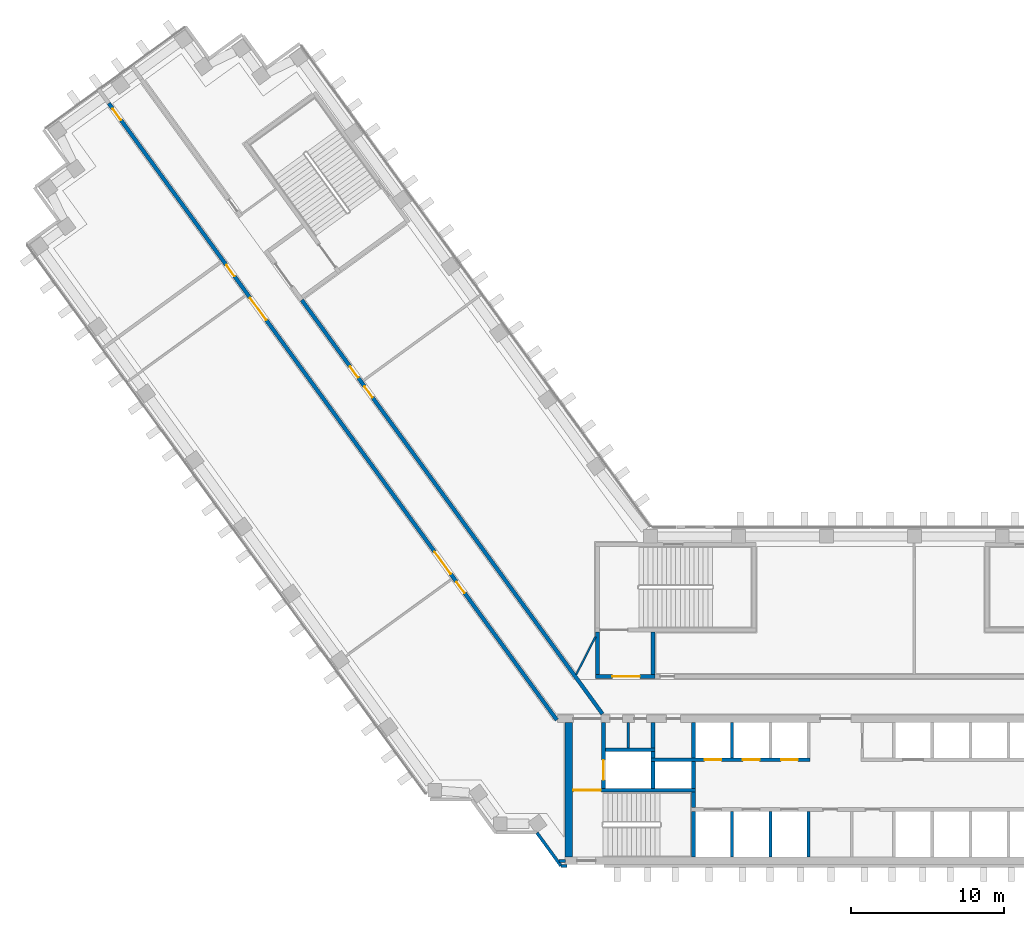
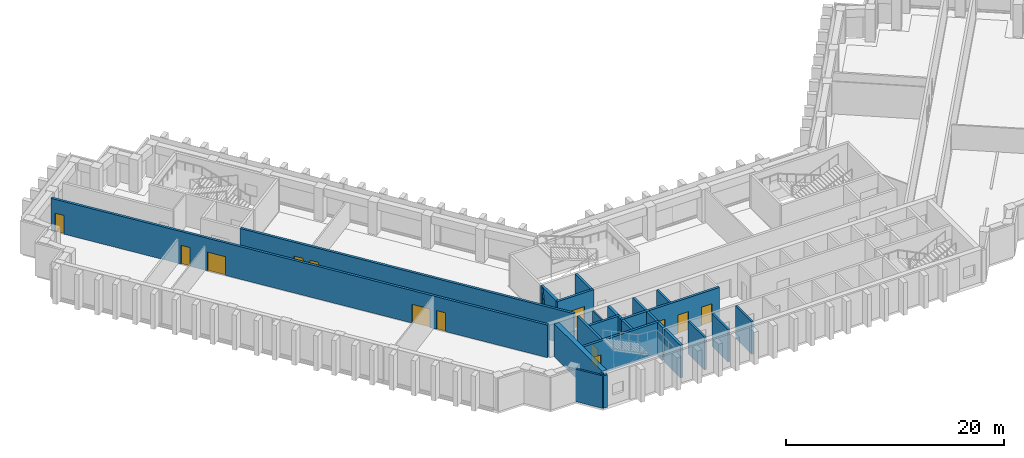
# One storey, part 5 of 12: 26 walls, 13 doors, 13 openings.
"""IFC4 building model written with IfcOpenShell, lengths in metres."""

from ifc_helpers import new_model, si_unit, direction, frame, frame_2d, origin, place, context, subcontext, project, spatial, rectangle, extrude, material, layer, layer_set, type_object, element, fill, save


model = new_model("IFC4")

# Units and contexts
model_context = context("Model", 3, precision=1e-05, world=origin(), true_north=direction((0.0, 1.0)))
body_context = subcontext(model_context, "Body", "Model", "MODEL_VIEW")
ifc_project = project(units=[si_unit("LENGTHUNIT", "METRE"), si_unit("AREAUNIT", "SQUARE_METRE"), si_unit("VOLUMEUNIT", "CUBIC_METRE"), si_unit("PLANEANGLEUNIT", "RADIAN"), si_unit("MASSUNIT", "GRAM", prefix="KILO")], contexts=[model_context])

# Site, building, storey
site_placement = place(None, origin())
site = spatial("IfcSite", under=ifc_project, at=site_placement, CompositionType="ELEMENT")
building_placement = place(site_placement, origin())
building = spatial("IfcBuilding", under=site, at=building_placement, Name="Quipu Civic Tower", CompositionType="ELEMENT")
storey_placement = place(building_placement, frame((0.0, 0.0, 109.0)))
storey = spatial("IfcBuildingStorey", under=building, at=storey_placement, Name="L25", CompositionType="ELEMENT", Elevation=109.0)

# Walls
ifc_material_1 = material(Name="Concrete C70/85", Category="concrete")
ifc_layer_1 = layer(ifc_material_1, 0.25)
ifc_layer_set_1 = layer_set([ifc_layer_1], Name="Concrete C70/85")
wall_type_1 = type_object("IfcWallType", Name="Core wall 250", PredefinedType="SHEAR", material=ifc_layer_set_1)
wall_1_placement = place(storey_placement, frame((-11.574951171875, -10.5, 0.0), z_axis=(0.0, 0.0, 1.0), x_axis=(0.0, 1.0, 0.0)))
element("IfcWall", 1, at=wall_1_placement, inside=storey, type_object=wall_type_1, Name="Core wall", PredefinedType="SHEAR", context=body_context, shape_type="SweptSolid", body=[
    extrude(rectangle(XDim=3.0, YDim=0.25, at=frame_2d((1.5, 0.0))), origin(), (0.0, 0.0, 1.0), 3.64990234375),
])
wall_2_placement = place(storey_placement, frame((-11.574951171875, -7.25, 0.0), z_axis=(0.0, 0.0, 1.0), x_axis=(0.0, 1.0, 0.0)))
element("IfcWall", 2, at=wall_2_placement, inside=storey, type_object=wall_type_1, Name="Core wall", PredefinedType="SHEAR", context=body_context, shape_type="SweptSolid", body=[
    extrude(rectangle(XDim=1.0, YDim=0.25, at=frame_2d((0.5, 0.0))), origin(), (0.0, 0.0, 1.0), 3.64990234375),
])

# Wall, opening, door
wall_3_placement = place(storey_placement, frame((-11.449951171875, -6.125, 0.0), z_axis=(0.0, 0.0, 1.0), x_axis=(-1.0, 0.0, 0.0)))
wall_3 = element("IfcWall", 3, at=wall_3_placement, inside=storey, type_object=wall_type_1, Name="Core wall", PredefinedType="SHEAR", context=body_context, shape_type="SweptSolid", body=[
    extrude(rectangle(XDim=8.050048828125, YDim=0.25, at=frame_2d((4.02490234375, 0.0))), origin(), (0.0, 0.0, 1.0), 3.64990234375),
])
opening_1_placement = place(wall_3_placement, frame((6.199951171875, 0.0, 0.0)))
opening_1 = element("IfcOpeningElement", 4, at=opening_1_placement, cuts=wall_3, Name="Opening CD-03", PredefinedType="OPENING", context=body_context, shape_type="SweptSolid", body=[
    extrude(rectangle(XDim=1.800048828125, YDim=2.10009765625, at=frame_2d((0.89990234375, 1.050048828125))), frame((0.0, 0.135009765625, 0.0), z_axis=(0.0, -1.0, 0.0), x_axis=(1.0, 0.0, 0.0)), (0.0, 0.0, 1.0), 0.27001953125),
])
ifc_material_2 = material(Name="Fire rated steel door", Category="steel")
door_type_1 = type_object("IfcDoorType", Name="Fire door FD90 double 1800 x 2100", OperationType="NOTDEFINED", PredefinedType="DOOR", material=ifc_material_2)
door_1_placement = place(opening_1_placement, origin())
door_1 = element("IfcDoor", 5, at=door_1_placement, inside=storey, type_object=door_type_1, Name="Door", OperationType="DOUBLE_DOOR_SINGLE_SWING", OverallHeight=2.10009765625, OverallWidth=1.800048828125, PredefinedType="DOOR", context=body_context, shape_type="SweptSolid", body=[
    extrude(rectangle(XDim=1.800048828125, YDim=2.10009765625, at=frame_2d((0.89990234375, 1.050048828125))), frame((0.0, 0.02490234375, 0.0), z_axis=(0.0, -1.0, 0.0), x_axis=(1.0, 0.0, 0.0)), (0.0, 0.0, 1.0), 0.050048828125),
])
fill(opening_1, door_1)

wall_4_placement = place(storey_placement, frame((-17.47509765625, -6.0, 0.0), z_axis=(0.0, 0.0, 1.0), x_axis=(0.0, 1.0, 0.0)))
wall_4 = element("IfcWall", 6, at=wall_4_placement, inside=storey, type_object=wall_type_1, Name="Core wall", PredefinedType="SHEAR", context=body_context, shape_type="SweptSolid", body=[
    extrude(rectangle(XDim=4.300048828125, YDim=0.25, at=frame_2d((2.14990234375, 0.0))), origin(), (0.0, 0.0, 1.0), 3.64990234375),
])
opening_2_placement = place(wall_4_placement, frame((0.550048828125, 0.0, 0.0)))
opening_2 = element("IfcOpeningElement", 7, at=opening_2_placement, cuts=wall_4, Name="Opening LD-FF1", PredefinedType="OPENING", context=body_context, shape_type="SweptSolid", body=[
    extrude(rectangle(XDim=1.300048828125, YDim=2.10009765625, at=frame_2d((0.64990234375, 1.050048828125))), frame((0.0, 0.135009765625, 0.0), z_axis=(0.0, -1.0, 0.0), x_axis=(1.0, 0.0, 0.0)), (0.0, 0.0, 1.0), 0.27001953125),
])
ifc_material_3 = material(Name="Stainless steel", Category="steel")
door_type_2 = type_object("IfcDoorType", Name="Lift landing door 1300 x 2100", OperationType="DOUBLE_DOOR_SLIDING", PredefinedType="DOOR", material=ifc_material_3)
door_2_placement = place(opening_2_placement, origin())
door_2 = element("IfcDoor", 8, at=door_2_placement, inside=storey, type_object=door_type_2, Name="Landing door FF1", OperationType="DOUBLE_DOOR_SLIDING", OverallHeight=2.10009765625, OverallWidth=1.300048828125, PredefinedType="DOOR", context=body_context, shape_type="SweptSolid", body=[
    extrude(rectangle(XDim=1.300048828125, YDim=2.10009765625, at=frame_2d((0.64990234375, 1.050048828125))), frame((0.0, 0.02490234375, 0.0), z_axis=(0.0, -1.0, 0.0), x_axis=(1.0, 0.0, 0.0)), (0.0, 0.0, 1.0), 0.050048828125),
])
fill(opening_2, door_2)

# Walls
for number, where, z_axis, x_axis, name in (
    (9, (-14.22509765625, -6.0, 0.0), (0.0, 0.0, 1.0), (0.0, 1.0, 0.0), "Core wall"),
    (10, (-11.574951171875, -6.0, 0.0), (0.0, 0.0, 1.0), (0.0, 1.0, 0.0), "Core wall"),
):
    element("IfcWall", number, at=place(storey_placement, frame(where, z_axis=z_axis, x_axis=x_axis)), inside=storey, type_object=wall_type_1, Name=name, PredefinedType="SHEAR", context=body_context, shape_type="SweptSolid", body=[
        extrude(rectangle(XDim=1.75, YDim=0.25, at=frame_2d((0.875, 0.0))), origin(), (0.0, 0.0, 1.0), 3.64990234375),
    ])

# Wall, openings, doors
wall_5_placement = place(storey_placement, frame((-14.35009765625, -4.125, 0.0), z_axis=(0.0, 0.0, 1.0), x_axis=(1.0, 0.0, 0.0)))
wall_5 = element("IfcWall", 11, at=wall_5_placement, inside=storey, type_object=wall_type_1, Name="Core wall", PredefinedType="SHEAR", context=body_context, shape_type="SweptSolid", body=[
    extrude(rectangle(XDim=10.400146484375, YDim=0.25, at=frame_2d((5.2001953125, 0.0))), origin(), (0.0, 0.0, 1.0), 3.64990234375),
])
opening_3_placement = place(wall_5_placement, frame((3.5, 0.0, 0.0)))
opening_3 = element("IfcOpeningElement", 12, at=opening_3_placement, cuts=wall_5, Name="Opening LD-LL4", PredefinedType="OPENING", context=body_context, shape_type="SweptSolid", body=[
    extrude(rectangle(XDim=1.10009765625, YDim=2.10009765625, at=frame_2d((0.550048828125, 1.050048828125))), frame((0.0, 0.135009765625, 0.0), z_axis=(0.0, -1.0, 0.0), x_axis=(1.0, 0.0, 0.0)), (0.0, 0.0, 1.0), 0.27001953125),
])
opening_4_placement = place(wall_5_placement, frame((6.0, 0.0, 0.0)))
opening_4 = element("IfcOpeningElement", 13, at=opening_4_placement, cuts=wall_5, Name="Opening LD-LL5", PredefinedType="OPENING", context=body_context, shape_type="SweptSolid", body=[
    extrude(rectangle(XDim=1.10009765625, YDim=2.10009765625, at=frame_2d((0.550048828125, 1.050048828125))), frame((0.0, 0.135009765625, 0.0), z_axis=(0.0, -1.0, 0.0), x_axis=(1.0, 0.0, 0.0)), (0.0, 0.0, 1.0), 0.27001953125),
])
opening_5_placement = place(wall_5_placement, frame((8.5, 0.0, 0.0)))
opening_5 = element("IfcOpeningElement", 14, at=opening_5_placement, cuts=wall_5, Name="Opening LD-LL6", PredefinedType="OPENING", context=body_context, shape_type="SweptSolid", body=[
    extrude(rectangle(XDim=1.10009765625, YDim=2.10009765625, at=frame_2d((0.550048828125, 1.050048828125))), frame((0.0, 0.135009765625, 0.0), z_axis=(0.0, -1.0, 0.0), x_axis=(1.0, 0.0, 0.0)), (0.0, 0.0, 1.0), 0.27001953125),
])
ifc_material_4 = material(Name="Stainless steel", Category="steel")
door_type_3 = type_object("IfcDoorType", Name="Lift landing door 1100 x 2100", OperationType="DOUBLE_DOOR_SLIDING", PredefinedType="DOOR", material=ifc_material_4)
door_3_placement = place(opening_3_placement, origin())
door_3 = element("IfcDoor", 15, at=door_3_placement, inside=storey, type_object=door_type_3, Name="Landing door LL4", OperationType="DOUBLE_DOOR_SLIDING", OverallHeight=2.10009765625, OverallWidth=1.10009765625, PredefinedType="DOOR", context=body_context, shape_type="SweptSolid", body=[
    extrude(rectangle(XDim=1.10009765625, YDim=2.10009765625, at=frame_2d((0.550048828125, 1.050048828125))), frame((0.0, 0.02490234375, 0.0), z_axis=(0.0, -1.0, 0.0), x_axis=(1.0, 0.0, 0.0)), (0.0, 0.0, 1.0), 0.050048828125),
])
fill(opening_3, door_3)
door_4_placement = place(opening_4_placement, origin())
door_4 = element("IfcDoor", 16, at=door_4_placement, inside=storey, type_object=door_type_3, Name="Landing door LL5", OperationType="DOUBLE_DOOR_SLIDING", OverallHeight=2.10009765625, OverallWidth=1.10009765625, PredefinedType="DOOR", context=body_context, shape_type="SweptSolid", body=[
    extrude(rectangle(XDim=1.10009765625, YDim=2.10009765625, at=frame_2d((0.550048828125, 1.050048828125))), frame((0.0, 0.02490234375, 0.0), z_axis=(0.0, -1.0, 0.0), x_axis=(1.0, 0.0, 0.0)), (0.0, 0.0, 1.0), 0.050048828125),
])
fill(opening_4, door_4)
door_5_placement = place(opening_5_placement, origin())
door_5 = element("IfcDoor", 17, at=door_5_placement, inside=storey, type_object=door_type_3, Name="Landing door LL6", OperationType="DOUBLE_DOOR_SLIDING", OverallHeight=2.10009765625, OverallWidth=1.10009765625, PredefinedType="DOOR", context=body_context, shape_type="SweptSolid", body=[
    extrude(rectangle(XDim=1.10009765625, YDim=2.10009765625, at=frame_2d((0.550048828125, 1.050048828125))), frame((0.0, 0.02490234375, 0.0), z_axis=(0.0, -1.0, 0.0), x_axis=(1.0, 0.0, 0.0)), (0.0, 0.0, 1.0), 0.050048828125),
])
fill(opening_5, door_5)

# Walls
wall_6_placement = place(storey_placement, frame((-14.22509765625, -4.0, 0.0), z_axis=(0.0, 0.0, 1.0), x_axis=(0.0, 1.0, 0.0)))
element("IfcWall", 18, at=wall_6_placement, inside=storey, type_object=wall_type_1, Name="Core wall", PredefinedType="SHEAR", context=body_context, shape_type="SweptSolid", body=[
    extrude(rectangle(XDim=0.39990234375, YDim=0.25, at=frame_2d((0.199951171875, 0.0))), origin(), (0.0, 0.0, 1.0), 3.64990234375),
])
wall_7_placement = place(storey_placement, frame((-11.574951171875, -4.0, 0.0), z_axis=(0.0, 0.0, 1.0), x_axis=(0.0, 1.0, 0.0)))
element("IfcWall", 19, at=wall_7_placement, inside=storey, type_object=wall_type_1, Name="Core wall", PredefinedType="SHEAR", context=body_context, shape_type="SweptSolid", body=[
    extrude(rectangle(XDim=2.300048828125, YDim=0.25, at=frame_2d((1.14990234375, 0.0))), origin(), (0.0, 0.0, 1.0), 3.64990234375),
])
wall_8_placement = place(storey_placement, frame((-17.35009765625, -3.47509765625, 0.0), z_axis=(0.0, 0.0, 1.0), x_axis=(1.0, 0.0, 0.0)))
element("IfcWall", 20, at=wall_8_placement, inside=storey, type_object=wall_type_1, Name="Core wall", PredefinedType="SHEAR", context=body_context, shape_type="SweptSolid", body=[
    extrude(rectangle(XDim=3.25, YDim=0.25, at=frame_2d((1.625, 0.0))), origin(), (0.0, 0.0, 1.0), 3.64990234375),
])
wall_9_placement = place(storey_placement, frame((-14.22509765625, -3.35009765625, 0.0), z_axis=(0.0, 0.0, 1.0), x_axis=(0.0, 1.0, 0.0)))
element("IfcWall", 21, at=wall_9_placement, inside=storey, type_object=wall_type_1, Name="Core wall", PredefinedType="SHEAR", context=body_context, shape_type="SweptSolid", body=[
    extrude(rectangle(XDim=1.650146484375, YDim=0.25, at=frame_2d((0.8251953125, 0.0))), origin(), (0.0, 0.0, 1.0), 3.64990234375),
])

# Wall, opening, door
wall_10_placement = place(storey_placement, frame((-18.0, 1.324951171875, 0.0), z_axis=(0.0, 0.0, 1.0), x_axis=(1.0, 0.0, 0.0)))
wall_10 = element("IfcWall", 22, at=wall_10_placement, inside=storey, type_object=wall_type_1, Name="Core wall", PredefinedType="SHEAR", context=body_context, shape_type="SweptSolid", body=[
    extrude(rectangle(XDim=3.89990234375, YDim=0.25, at=frame_2d((1.949951171875, 0.0))), origin(), (0.0, 0.0, 1.0), 3.64990234375),
])
opening_6_placement = place(wall_10_placement, frame((1.10009765625, 0.0, 0.0)))
opening_6 = element("IfcOpeningElement", 23, at=opening_6_placement, cuts=wall_10, Name="Opening CD-14", PredefinedType="OPENING", context=body_context, shape_type="SweptSolid", body=[
    extrude(rectangle(XDim=1.800048828125, YDim=2.10009765625, at=frame_2d((0.89990234375, 1.050048828125))), frame((0.0, 0.135009765625, 0.0), z_axis=(0.0, -1.0, 0.0), x_axis=(1.0, 0.0, 0.0)), (0.0, 0.0, 1.0), 0.27001953125),
])
door_6_placement = place(opening_6_placement, origin())
door_6 = element("IfcDoor", 24, at=door_6_placement, inside=storey, type_object=door_type_1, Name="Lobby door", OperationType="DOUBLE_DOOR_SINGLE_SWING", OverallHeight=2.10009765625, OverallWidth=1.800048828125, PredefinedType="DOOR", context=body_context, shape_type="SweptSolid", body=[
    extrude(rectangle(XDim=1.800048828125, YDim=2.10009765625, at=frame_2d((0.89990234375, 1.050048828125))), frame((0.0, 0.02490234375, 0.0), z_axis=(0.0, -1.0, 0.0), x_axis=(1.0, 0.0, 0.0)), (0.0, 0.0, 1.0), 0.050048828125),
])
fill(opening_6, door_6)

# Walls
for number, where, z_axis, x_axis, name in (
    (25, (-17.875, 1.449951171875, 0.0), (0.0, 0.0, 1.0), (0.0, 1.0, 0.0), "Core wall"),
    (26, (-14.22509765625, 1.449951171875, 0.0), (0.0, 0.0, 1.0), (0.0, 1.0, 0.0), "Core wall"),
):
    element("IfcWall", number, at=place(storey_placement, frame(where, z_axis=z_axis, x_axis=x_axis)), inside=storey, type_object=wall_type_1, Name=name, PredefinedType="SHEAR", context=body_context, shape_type="SweptSolid", body=[
        extrude(rectangle(XDim=2.800048828125, YDim=0.25, at=frame_2d((1.39990234375, 0.0))), origin(), (0.0, 0.0, 1.0), 3.64990234375),
    ])
ifc_material_5 = material(Name="Concrete C70/85", Category="concrete")
ifc_layer_2 = layer(ifc_material_5, 0.5)
ifc_layer_set_2 = layer_set([ifc_layer_2], Name="Concrete C70/85")
wall_type_2 = type_object("IfcWallType", Name="Core wall 500", PredefinedType="SHEAR", material=ifc_layer_set_2)
wall_11_placement = place(storey_placement, frame((-19.75, -10.5, 0.0), z_axis=(0.0, 0.0, 1.0), x_axis=(0.0, 1.0, 0.0)))
element("IfcWall", 27, at=wall_11_placement, inside=storey, type_object=wall_type_2, Name="Core wall", PredefinedType="SHEAR", context=body_context, shape_type="SweptSolid", body=[
    extrude(rectangle(XDim=8.800048828125, YDim=0.5, at=frame_2d((4.39990234375, 0.0))), origin(), (0.0, 0.0, 1.0), 3.64990234375),
])

# Wall, openings, doors
ifc_material_6 = material(Name="Concrete C50/60", Category="concrete")
ifc_layer_3 = layer(ifc_material_6, 0.25)
ifc_layer_set_3 = layer_set([ifc_layer_3], Name="Concrete C50/60")
wall_type_3 = type_object("IfcWallType", Name="Corridor wall 250 concrete", PredefinedType="SOLIDWALL", material=ifc_layer_set_3)
wall_12_placement = place(storey_placement, frame((-20.531005859375, -1.5234375, 0.0), z_axis=(0.0, 0.0, 1.0), x_axis=(-0.587784522481, 0.809017524614, 0.0)))
wall_12 = element("IfcWall", 28, at=wall_12_placement, inside=storey, type_object=wall_type_3, Name="Corridor wall C02", PredefinedType="SOLIDWALL", context=body_context, shape_type="SweptSolid", body=[
    extrude(rectangle(XDim=49.912353515625, YDim=0.25, at=frame_2d((24.9560546875, 0.0))), origin(), (0.0, 0.0, 1.0), 3.64990234375),
])
opening_7_placement = place(wall_12_placement, frame((10.265869140625, 0.0, 0.0)))
opening_7 = element("IfcOpeningElement", 29, at=opening_7_placement, cuts=wall_12, Name="Opening D015", PredefinedType="OPENING", context=body_context, shape_type="SweptSolid", body=[
    extrude(rectangle(XDim=0.89990234375, YDim=2.10009765625, at=frame_2d((0.449951171875, 1.050048828125))), frame((0.0, 0.135009765625, 0.0), z_axis=(0.0, -1.0, 0.0), x_axis=(1.0, 0.0, 0.0)), (0.0, 0.0, 1.0), 0.27001953125),
])
opening_8_placement = place(wall_12_placement, frame((32.365966796875, 0.0, 0.0)))
opening_8 = element("IfcOpeningElement", 30, at=opening_8_placement, cuts=wall_12, Name="Opening D013", PredefinedType="OPENING", context=body_context, shape_type="SweptSolid", body=[
    extrude(rectangle(XDim=1.800048828125, YDim=2.10009765625, at=frame_2d((0.89990234375, 1.050048828125))), frame((0.0, 0.135009765625, 0.0), z_axis=(0.0, -1.0, 0.0), x_axis=(1.0, 0.0, 0.0)), (0.0, 0.0, 1.0), 0.27001953125),
])
opening_9_placement = place(wall_12_placement, frame((11.8154296875, 0.0, 0.0)))
opening_9 = element("IfcOpeningElement", 31, at=opening_9_placement, cuts=wall_12, Name="Opening D014", PredefinedType="OPENING", context=body_context, shape_type="SweptSolid", body=[
    extrude(rectangle(XDim=1.800048828125, YDim=2.10009765625, at=frame_2d((0.89990234375, 1.050048828125))), frame((0.0, 0.135009765625, 0.0), z_axis=(0.0, -1.0, 0.0), x_axis=(1.0, 0.0, 0.0)), (0.0, 0.0, 1.0), 0.27001953125),
])
opening_10_placement = place(wall_12_placement, frame((48.5703125, 0.0, 0.0)))
opening_10 = element("IfcOpeningElement", 32, at=opening_10_placement, cuts=wall_12, Name="Opening D011", PredefinedType="OPENING", context=body_context, shape_type="SweptSolid", body=[
    extrude(rectangle(XDim=0.89990234375, YDim=2.10009765625, at=frame_2d((0.449951171875, 1.050048828125))), frame((0.0, 0.135009765625, 0.0), z_axis=(0.0, -1.0, 0.0), x_axis=(1.0, 0.0, 0.0)), (0.0, 0.0, 1.0), 0.27001953125),
])
opening_11_placement = place(wall_12_placement, frame((35.9150390625, 0.0, 0.0)))
opening_11 = element("IfcOpeningElement", 33, at=opening_11_placement, cuts=wall_12, Name="Opening D012", PredefinedType="OPENING", context=body_context, shape_type="SweptSolid", body=[
    extrude(rectangle(XDim=0.89990234375, YDim=2.10009765625, at=frame_2d((0.449951171875, 1.050048828125))), frame((0.0, 0.135009765625, 0.0), z_axis=(0.0, -1.0, 0.0), x_axis=(1.0, 0.0, 0.0)), (0.0, 0.0, 1.0), 0.27001953125),
])
ifc_material_7 = material(Name="Fire rated timber door set with metal frame", Category="wood")
door_type_4 = type_object("IfcDoorType", Name="Double door 1800 x 2100 FD60", OperationType="DOUBLE_DOOR_SINGLE_SWING", PredefinedType="DOOR", material=ifc_material_7)
door_7_placement = place(opening_8_placement, origin())
door_7 = element("IfcDoor", 34, at=door_7_placement, inside=storey, type_object=door_type_4, Name="Door D013", OperationType="DOUBLE_DOOR_SINGLE_SWING", OverallHeight=2.10009765625, OverallWidth=1.800048828125, PredefinedType="DOOR", context=body_context, shape_type="SweptSolid", body=[
    extrude(rectangle(XDim=1.800048828125, YDim=2.10009765625, at=frame_2d((0.89990234375, 1.050048828125))), frame((0.0, 0.02490234375, 0.0), z_axis=(0.0, -1.0, 0.0), x_axis=(1.0, 0.0, 0.0)), (0.0, 0.0, 1.0), 0.050048828125),
])
fill(opening_8, door_7)
door_8_placement = place(opening_9_placement, origin())
door_8 = element("IfcDoor", 35, at=door_8_placement, inside=storey, type_object=door_type_4, Name="Door D014", OperationType="DOUBLE_DOOR_SINGLE_SWING", OverallHeight=2.10009765625, OverallWidth=1.800048828125, PredefinedType="DOOR", context=body_context, shape_type="SweptSolid", body=[
    extrude(rectangle(XDim=1.800048828125, YDim=2.10009765625, at=frame_2d((0.89990234375, 1.050048828125))), frame((0.0, 0.02490234375, 0.0), z_axis=(0.0, -1.0, 0.0), x_axis=(1.0, 0.0, 0.0)), (0.0, 0.0, 1.0), 0.050048828125),
])
fill(opening_9, door_8)
ifc_material_8 = material(Name="Fire rated timber door set with metal frame", Category="wood")
door_type_5 = type_object("IfcDoorType", Name="Single door 900 x 2100 FD60", OperationType="NOTDEFINED", PredefinedType="DOOR", material=ifc_material_8)
door_9_placement = place(opening_7_placement, origin())
door_9 = element("IfcDoor", 36, at=door_9_placement, inside=storey, type_object=door_type_5, Name="Door D015", OperationType="SINGLE_SWING_RIGHT", OverallHeight=2.10009765625, OverallWidth=0.89990234375, PredefinedType="DOOR", context=body_context, shape_type="SweptSolid", body=[
    extrude(rectangle(XDim=0.89990234375, YDim=2.10009765625, at=frame_2d((0.449951171875, 1.050048828125))), frame((0.0, 0.02490234375, 0.0), z_axis=(0.0, -1.0, 0.0), x_axis=(1.0, 0.0, 0.0)), (0.0, 0.0, 1.0), 0.050048828125),
])
fill(opening_7, door_9)
door_10_placement = place(opening_10_placement, origin())
door_10 = element("IfcDoor", 37, at=door_10_placement, inside=storey, type_object=door_type_5, Name="Door D011", OperationType="SINGLE_SWING_RIGHT", OverallHeight=2.10009765625, OverallWidth=0.89990234375, PredefinedType="DOOR", context=body_context, shape_type="SweptSolid", body=[
    extrude(rectangle(XDim=0.89990234375, YDim=2.10009765625, at=frame_2d((0.449951171875, 1.050048828125))), frame((0.0, 0.02490234375, 0.0), z_axis=(0.0, -1.0, 0.0), x_axis=(1.0, 0.0, 0.0)), (0.0, 0.0, 1.0), 0.050048828125),
])
fill(opening_10, door_10)
door_11_placement = place(opening_11_placement, origin())
door_11 = element("IfcDoor", 38, at=door_11_placement, inside=storey, type_object=door_type_5, Name="Door D012", OperationType="SINGLE_SWING_RIGHT", OverallHeight=2.10009765625, OverallWidth=0.89990234375, PredefinedType="DOOR", context=body_context, shape_type="SweptSolid", body=[
    extrude(rectangle(XDim=0.89990234375, YDim=2.10009765625, at=frame_2d((0.449951171875, 1.050048828125))), frame((0.0, 0.02490234375, 0.0), z_axis=(0.0, -1.0, 0.0), x_axis=(1.0, 0.0, 0.0)), (0.0, 0.0, 1.0), 0.050048828125),
])
fill(opening_11, door_11)

wall_13_placement = place(storey_placement, frame((-37.231689453125, 25.9716796875, 0.0), z_axis=(0.0, 0.0, 1.0), x_axis=(0.587786323093, -0.809016216391, 0.0)))
wall_13 = element("IfcWall", 39, at=wall_13_placement, inside=storey, type_object=wall_type_3, Name="Corridor wall C04", PredefinedType="SOLIDWALL", context=body_context, shape_type="SweptSolid", body=[
    extrude(rectangle(XDim=33.4931640625, YDim=0.25, at=frame_2d((16.74658203125, 0.0))), origin(), (0.0, 0.0, 1.0), 3.64990234375),
])
opening_12_placement = place(wall_13_placement, frame((5.38525390625, 0.0, 0.0)))
opening_12 = element("IfcOpeningElement", 40, at=opening_12_placement, cuts=wall_13, Name="Opening D009", PredefinedType="OPENING", context=body_context, shape_type="SweptSolid", body=[
    extrude(rectangle(XDim=0.89990234375, YDim=2.10009765625, at=frame_2d((0.449951171875, 1.050048828125))), frame((0.0, 0.135009765625, 0.0), z_axis=(0.0, -1.0, 0.0), x_axis=(1.0, 0.0, 0.0)), (0.0, 0.0, 1.0), 0.27001953125),
])
opening_13_placement = place(wall_13_placement, frame((6.985107421875, 0.0, 0.0)))
opening_13 = element("IfcOpeningElement", 41, at=opening_13_placement, cuts=wall_13, Name="Opening D010", PredefinedType="OPENING", context=body_context, shape_type="SweptSolid", body=[
    extrude(rectangle(XDim=0.89990234375, YDim=2.10009765625, at=frame_2d((0.449951171875, 1.050048828125))), frame((0.0, 0.135009765625, 0.0), z_axis=(0.0, -1.0, 0.0), x_axis=(1.0, 0.0, 0.0)), (0.0, 0.0, 1.0), 0.27001953125),
])
door_12_placement = place(opening_12_placement, origin())
door_12 = element("IfcDoor", 42, at=door_12_placement, inside=storey, type_object=door_type_5, Name="Door D009", OperationType="SINGLE_SWING_RIGHT", OverallHeight=2.10009765625, OverallWidth=0.89990234375, PredefinedType="DOOR", context=body_context, shape_type="SweptSolid", body=[
    extrude(rectangle(XDim=0.89990234375, YDim=2.10009765625, at=frame_2d((0.449951171875, 1.050048828125))), frame((0.0, 0.02490234375, 0.0), z_axis=(0.0, -1.0, 0.0), x_axis=(1.0, 0.0, 0.0)), (0.0, 0.0, 1.0), 0.050048828125),
])
fill(opening_12, door_12)
door_13_placement = place(opening_13_placement, origin())
door_13 = element("IfcDoor", 43, at=door_13_placement, inside=storey, type_object=door_type_5, Name="Door D010", OperationType="SINGLE_SWING_LEFT", OverallHeight=2.10009765625, OverallWidth=0.89990234375, PredefinedType="DOOR", context=body_context, shape_type="SweptSolid", body=[
    extrude(rectangle(XDim=0.89990234375, YDim=2.10009765625, at=frame_2d((0.449951171875, 1.050048828125))), frame((0.0, 0.02490234375, 0.0), z_axis=(0.0, -1.0, 0.0), x_axis=(1.0, 0.0, 0.0)), (0.0, 0.0, 1.0), 0.050048828125),
])
fill(opening_13, door_13)

# Walls
ifc_material_9 = material(Name="Gypsum plasterboard on light gauge framing")
ifc_layer_4 = layer(ifc_material_9, 0.1201171875)
ifc_layer_set_4 = layer_set([ifc_layer_4], Name="Gypsum plasterboard on light gauge framing")
wall_type_4 = type_object("IfcWallType", Name="Partition 120 plasterboard", PredefinedType="PARTITIONING", material=ifc_layer_set_4)
wall_14_placement = place(storey_placement, frame((-19.260986328125, 1.449951171875, 0.0), z_axis=(0.0, 0.0, 1.0), x_axis=(0.453950796792, 0.891026752736, 0.0)))
element("IfcWall", 44, at=wall_14_placement, inside=storey, type_object=wall_type_4, Name="Partition P11", PredefinedType="PARTITIONING", context=body_context, shape_type="SweptSolid", body=[
    extrude(rectangle(XDim=2.77783203125, YDim=0.1201171875, at=frame_2d((1.388916015625, 0.0))), origin(), (0.0, 0.0, 1.0), 3.64990234375),
])
ifc_material_10 = material(Name="Gypsum board partition")
ifc_layer_5 = layer(ifc_material_10, 0.14990234375)
ifc_layer_set_5 = layer_set([ifc_layer_5], Name="Gypsum board partition")
wall_type_5 = type_object("IfcWallType", Name="Partition 150", PredefinedType="PARTITIONING", material=ifc_layer_set_5)
wall_15_placement = place(storey_placement, frame((-15.85009765625, -3.35009765625, 0.0), z_axis=(0.0, 0.0, 1.0), x_axis=(0.0, 1.0, 0.0)))
element("IfcWall", 45, at=wall_15_placement, inside=storey, type_object=wall_type_5, Name="Partition", PredefinedType="PARTITIONING", context=body_context, shape_type="SweptSolid", body=[
    extrude(rectangle(XDim=1.650146484375, YDim=0.14990234375, at=frame_2d((0.8251953125, 0.0))), origin(), (0.0, 0.0, 1.0), 3.64990234375),
])
ifc_material_11 = material(Name="Precast concrete C40/50", Category="concrete")
wall_type_6 = type_object("IfcWallType", Name="Precast cladding wall", PredefinedType="SOLIDWALL", material=ifc_material_11)
wall_16_placement = place(storey_placement, frame((-21.8330078125, -8.90869140625, 0.0), z_axis=(0.0, 0.0, 1.0), x_axis=(0.587766567315, -0.809030569476, 0.0)))
element("IfcWall", 46, at=wall_16_placement, inside=storey, type_object=wall_type_6, Name="Precast cladding wall L25 15", PredefinedType="SOLIDWALL", context=body_context, shape_type="SweptSolid", body=[
    extrude(rectangle(XDim=2.687744140625, YDim=0.199951171875, at=frame_2d((1.34375, 0.0))), origin(), (0.0, 0.0, 1.0), 3.64990234375),
])
wall_17_placement = place(storey_placement, frame((-20.255859375, -11.087890625, 0.0), z_axis=(0.0, 0.0, 1.0), x_axis=(1.0, 0.0, 0.0)))
element("IfcWall", 47, at=wall_17_placement, inside=storey, type_object=wall_type_6, Name="Precast cladding wall L25 16", PredefinedType="SOLIDWALL", context=body_context, shape_type="SweptSolid", body=[
    extrude(rectangle(XDim=0.40576171875, YDim=0.199951171875, at=frame_2d((0.202880859375, 0.0))), origin(), (0.0, 0.0, 1.0), 3.64990234375),
])
wall_18_placement = place(storey_placement, frame((-19.97998046875, -10.75, 0.0), z_axis=(0.0, 0.0, 1.0), x_axis=(-1.0, 0.0, 0.0)))
element("IfcWall", 48, at=wall_18_placement, inside=storey, type_object=wall_type_6, Name="Precast cladding return L25 W", PredefinedType="SOLIDWALL", context=body_context, shape_type="SweptSolid", body=[
    extrude(rectangle(XDim=0.41650390625, YDim=0.199951171875, at=frame_2d((0.208251953125, 0.0))), origin(), (0.0, 0.0, 1.0), 3.64990234375),
])
ifc_material_12 = material(Name="Concrete C40/50", Category="concrete")
ifc_layer_6 = layer(ifc_material_12, 0.199951171875)
ifc_layer_set_6 = layer_set([ifc_layer_6], Name="Concrete C40/50")
wall_type_7 = type_object("IfcWallType", Name="Shaft wall 200", PredefinedType="SOLIDWALL", material=ifc_layer_set_6)
for number, where, z_axis, x_axis, name in (
    (49, (-9.050048828125, -10.5, 0.0), (0.0, 0.0, 1.0), (0.0, 1.0, 0.0), "Shaft wall"),
    (50, (-6.550048828125, -10.5, 0.0), (0.0, 0.0, 1.0), (0.0, 1.0, 0.0), "Shaft wall"),
    (51, (-4.050048828125, -10.5, 0.0), (0.0, 0.0, 1.0), (0.0, 1.0, 0.0), "Shaft wall"),
):
    element("IfcWall", number, at=place(storey_placement, frame(where, z_axis=z_axis, x_axis=x_axis)), inside=storey, type_object=wall_type_7, Name=name, PredefinedType="SOLIDWALL", context=body_context, shape_type="SweptSolid", body=[
        extrude(rectangle(XDim=3.0, YDim=0.199951171875, at=frame_2d((1.5, 0.0))), origin(), (0.0, 0.0, 1.0), 3.64990234375),
    ])
wall_19_placement = place(storey_placement, frame((-9.050048828125, -4.0, 0.0), z_axis=(0.0, 0.0, 1.0), x_axis=(0.0, 1.0, 0.0)))
element("IfcWall", 52, at=wall_19_placement, inside=storey, type_object=wall_type_7, Name="Shaft wall", PredefinedType="SOLIDWALL", context=body_context, shape_type="SweptSolid", body=[
    extrude(rectangle(XDim=2.300048828125, YDim=0.199951171875, at=frame_2d((1.14990234375, 0.0))), origin(), (0.0, 0.0, 1.0), 3.64990234375),
])

save(model, "model.ifc")
